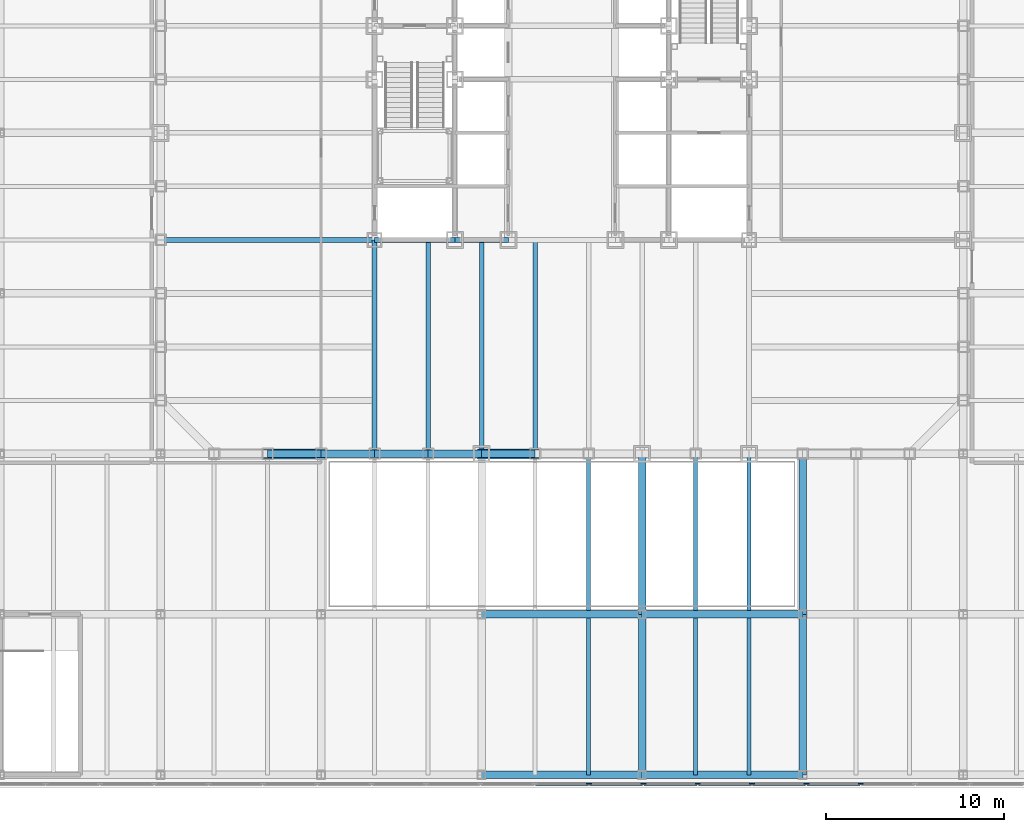
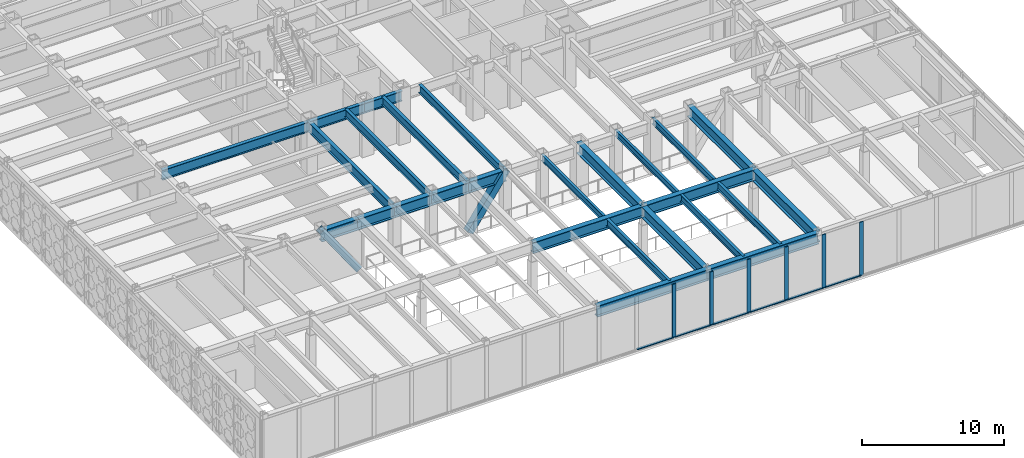
# One storey, part 4 of 24: 23 beams, 17 members, 1 element without a shape of its own.
"""IFC4 building model written with IfcOpenShell, lengths in metres."""

from ifc_helpers import new_model, si_unit, direction, frame, origin, origin_2d, place, context, subcontext, project, spatial, rectangle, hollow_rectangle, i_section, extrude, material, layer, layer_set, material_profile, profile_set, type_object, element, aggregate, save


model = new_model("IFC4")

# Units and contexts
model_context = context("Model", 3, precision=1e-05, world=origin(), true_north=direction((0.0, 1.0)))
body_context = subcontext(model_context, "Body", "Model", "MODEL_VIEW")
ifc_project = project(units=[si_unit("LENGTHUNIT", "METRE"), si_unit("AREAUNIT", "SQUARE_METRE"), si_unit("VOLUMEUNIT", "CUBIC_METRE"), si_unit("PLANEANGLEUNIT", "RADIAN"), si_unit("MASSUNIT", "GRAM", prefix="KILO")], contexts=[model_context])

# Site, building, storey
site_placement = place(None, origin())
site = spatial("IfcSite", under=ifc_project, at=site_placement, CompositionType="ELEMENT")
building_placement = place(site_placement, origin())
building = spatial("IfcBuilding", under=site, at=building_placement, Name="Chuquiago Exchange Tower", CompositionType="ELEMENT")
storey_placement = place(building_placement, frame((0.0, 0.0, 19.5)))
storey = spatial("IfcBuildingStorey", under=building, at=storey_placement, Name="L03", CompositionType="ELEMENT", Elevation=19.5)

# Beams
ifc_material_1 = material(Name="Steel ASTM A992", Category="steel")
ifc_material_profile_1 = material_profile(ifc_material_1, i_section(OverallWidth=0.2919921875, OverallDepth=0.8583984375, WebThickness=0.01708984375, FlangeThickness=0.031005859375, at=origin_2d()), Name="W33X169")
ifc_profile_set_1 = profile_set([ifc_material_profile_1], Name="Steel ASTM A992")
beam_type_1 = type_object("IfcBeamType", Name="B3 W33X169", PredefinedType="BEAM", material=ifc_profile_set_1)
beam_1_placement = place(storey_placement, frame((12.0, 12.0, 3.91064453125), z_axis=(1.0, 0.0, 0.0), x_axis=(0.0, 1.0, 0.0)))
element("IfcBeam", 1, at=beam_1_placement, inside=storey, type_object=beam_type_1, Name="CB-L04-12_12-16.5_12", PredefinedType="BEAM", context=body_context, shape_type="SweptSolid", body=[
    extrude(i_section(OverallWidth=0.2919921875, OverallDepth=0.8583984375, WebThickness=0.01708984375, FlangeThickness=0.031005859375, at=origin_2d()), origin(), (0.0, 0.0, 1.0), 4.5),
])
beam_2_placement = place(storey_placement, frame((16.5, 12.0, 3.91064453125), z_axis=(1.0, 0.0, 0.0), x_axis=(0.0, 1.0, 0.0)))
element("IfcBeam", 2, at=beam_2_placement, inside=storey, type_object=beam_type_1, Name="CB-L04-16.5_12-19.5_12", PredefinedType="BEAM", context=body_context, shape_type="SweptSolid", body=[
    extrude(i_section(OverallWidth=0.2919921875, OverallDepth=0.8583984375, WebThickness=0.01708984375, FlangeThickness=0.031005859375, at=origin_2d()), origin(), (0.0, 0.0, 1.0), 3.0),
])
ifc_material_2 = material(Name="Steel ASTM A992", Category="steel")
ifc_material_profile_2 = material_profile(ifc_material_2, i_section(OverallWidth=0.256591796875, OverallDepth=0.693359375, WebThickness=0.014404296875, FlangeThickness=0.023681640625, at=origin_2d()), Name="W27X114")
ifc_profile_set_2 = profile_set([ifc_material_profile_2], Name="Steel ASTM A992")
beam_type_2 = type_object("IfcBeamType", Name="B4 W27X114", PredefinedType="BEAM", material=ifc_profile_set_2)
for number, where, z_axis, x_axis, name in (
    (3, (15.0, 12.0, 3.993408203125), (0.0, -1.0, 0.0), (1.0, 0.0, 0.0), "FB-L04-infill-15_12-15_-0-0"),
    (4, (18.0, 12.0, 3.993408203125), (0.0, -1.0, 0.0), (1.0, 0.0, 0.0), "FB-L04-infill-18_12-18_-0-0"),
    (5, (21.0, 12.0, 3.993408203125), (0.0, -1.0, 0.0), (1.0, 0.0, 0.0), "FB-L04-infill-21_12-21_-0-0"),
):
    element("IfcBeam", number, at=place(storey_placement, frame(where, z_axis=z_axis, x_axis=x_axis)), inside=storey, type_object=beam_type_2, Name=name, PredefinedType="BEAM", context=body_context, shape_type="SweptSolid", body=[
        extrude(i_section(OverallWidth=0.256591796875, OverallDepth=0.693359375, WebThickness=0.014404296875, FlangeThickness=0.023681640625, at=origin_2d()), origin(), (0.0, 0.0, 1.0), 12.0),
    ])

# Curtain wall, members
ifc_material_3 = material(Name="Aluminium curtain wall system", Category="aluminium")
ifc_layer = layer(ifc_material_3, 0.300048828125)
ifc_layer_set = layer_set([ifc_layer], Name="CW4 podium curtain wall")
curtain_wall_type = type_object("IfcCurtainWallType", Name="CW4 podium curtain wall", PredefinedType="NOTDEFINED", material=ifc_layer_set)
curtain_wall_placement = place(storey_placement, origin())
curtain_wall = element("IfcCurtainWall", 6, at=curtain_wall_placement, inside=storey, type_object=curtain_wall_type, Name="CW4 curtain wall L03", PredefinedType="NOTDEFINED")
ifc_material_4 = material(Name="Aluminium mullion, pale anodised", Category="aluminium")
ifc_material_profile_3 = material_profile(ifc_material_4, rectangle(XDim=0.074951171875, YDim=0.300048828125, at=origin_2d()), Name="AL 75x300")
ifc_profile_set_3 = profile_set([ifc_material_profile_3], Name="Aluminium mullion, pale anodised")
member_type_1 = type_object("IfcMemberType", Name="CW4-M mullion 75x300", PredefinedType="MULLION", material=ifc_profile_set_3)
member_1_placement = place(storey_placement, frame((24.02392578125, -18.5, 0.0), z_axis=(0.0, 0.0, 1.0), x_axis=(0.0, 1.0, 0.0)))
member_1 = element("IfcMember", 7, at=member_1_placement, type_object=member_type_1, Name="CW4 mullion 12", PredefinedType="MULLION", context=body_context, shape_type="SweptSolid", body=[
    extrude(rectangle(XDim=0.074951171875, YDim=0.300048828125, at=origin_2d()), origin(), (0.0, 0.0, 1.0), 4.60009765625),
])
member_2_placement = place(storey_placement, frame((27.071533203125, -18.5, 0.0), z_axis=(0.0, 0.0, 1.0), x_axis=(0.0, 1.0, 0.0)))
member_2 = element("IfcMember", 8, at=member_2_placement, type_object=member_type_1, Name="CW4 mullion 13", PredefinedType="MULLION", context=body_context, shape_type="SweptSolid", body=[
    extrude(rectangle(XDim=0.074951171875, YDim=0.300048828125, at=origin_2d()), origin(), (0.0, 0.0, 1.0), 4.60009765625),
])
member_3_placement = place(storey_placement, frame((30.119140625, -18.5, 0.0), z_axis=(0.0, 0.0, 1.0), x_axis=(0.0, 1.0, 0.0)))
member_3 = element("IfcMember", 9, at=member_3_placement, type_object=member_type_1, Name="CW4 mullion 14", PredefinedType="MULLION", context=body_context, shape_type="SweptSolid", body=[
    extrude(rectangle(XDim=0.074951171875, YDim=0.300048828125, at=origin_2d()), origin(), (0.0, 0.0, 1.0), 4.60009765625),
])
member_4_placement = place(storey_placement, frame((33.166748046875, -18.5, 0.0), z_axis=(0.0, 0.0, 1.0), x_axis=(0.0, 1.0, 0.0)))
member_4 = element("IfcMember", 10, at=member_4_placement, type_object=member_type_1, Name="CW4 mullion 15", PredefinedType="MULLION", context=body_context, shape_type="SweptSolid", body=[
    extrude(rectangle(XDim=0.074951171875, YDim=0.300048828125, at=origin_2d()), origin(), (0.0, 0.0, 1.0), 4.60009765625),
])
member_5_placement = place(storey_placement, frame((36.21435546875, -18.5, 0.0), z_axis=(0.0, 0.0, 1.0), x_axis=(0.0, 1.0, 0.0)))
member_5 = element("IfcMember", 11, at=member_5_placement, type_object=member_type_1, Name="CW4 mullion 16", PredefinedType="MULLION", context=body_context, shape_type="SweptSolid", body=[
    extrude(rectangle(XDim=0.074951171875, YDim=0.300048828125, at=origin_2d()), origin(), (0.0, 0.0, 1.0), 4.60009765625),
])
member_6_placement = place(storey_placement, frame((39.261962890625, -18.5, 0.0), z_axis=(0.0, 0.0, 1.0), x_axis=(0.0, 1.0, 0.0)))
member_6 = element("IfcMember", 12, at=member_6_placement, type_object=member_type_1, Name="CW4 mullion 17", PredefinedType="MULLION", context=body_context, shape_type="SweptSolid", body=[
    extrude(rectangle(XDim=0.074951171875, YDim=0.300048828125, at=origin_2d()), origin(), (0.0, 0.0, 1.0), 4.60009765625),
])
ifc_material_5 = material(Name="Aluminium transom, pale anodised", Category="aluminium")
ifc_material_profile_4 = material_profile(ifc_material_5, rectangle(XDim=0.179931640625, YDim=0.074951171875, at=origin_2d()), Name="AL 180x75")
ifc_profile_set_4 = profile_set([ifc_material_profile_4], Name="Aluminium transom, pale anodised")
member_type_2 = type_object("IfcMemberType", Name="CW4-T transom 75x180", PredefinedType="MULLION", material=ifc_profile_set_4)
member_7_placement = place(storey_placement, frame((21.013671875, -18.5, 0.03759765625), z_axis=(1.0, 0.0, 0.0), x_axis=(0.0, 1.0, 0.0)))
member_7 = element("IfcMember", 13, at=member_7_placement, type_object=member_type_2, Name="CW4 transom 11.1", PredefinedType="MULLION", context=body_context, shape_type="SweptSolid", body=[
    extrude(rectangle(XDim=0.179931640625, YDim=0.074951171875, at=origin_2d()), origin(), (0.0, 0.0, 1.0), 2.97265625),
])
member_8_placement = place(storey_placement, frame((24.061279296875, -18.5, 0.03759765625), z_axis=(1.0, 0.0, 0.0), x_axis=(0.0, 1.0, 0.0)))
member_8 = element("IfcMember", 14, at=member_8_placement, type_object=member_type_2, Name="CW4 transom 12.1", PredefinedType="MULLION", context=body_context, shape_type="SweptSolid", body=[
    extrude(rectangle(XDim=0.179931640625, YDim=0.074951171875, at=origin_2d()), origin(), (0.0, 0.0, 1.0), 2.97265625),
])
member_9_placement = place(storey_placement, frame((27.10888671875, -18.5, 0.03759765625), z_axis=(1.0, 0.0, 0.0), x_axis=(0.0, 1.0, 0.0)))
member_9 = element("IfcMember", 15, at=member_9_placement, type_object=member_type_2, Name="CW4 transom 13.1", PredefinedType="MULLION", context=body_context, shape_type="SweptSolid", body=[
    extrude(rectangle(XDim=0.179931640625, YDim=0.074951171875, at=origin_2d()), origin(), (0.0, 0.0, 1.0), 2.97265625),
])
member_10_placement = place(storey_placement, frame((30.156494140625, -18.5, 0.03759765625), z_axis=(1.0, 0.0, 0.0), x_axis=(0.0, 1.0, 0.0)))
member_10 = element("IfcMember", 16, at=member_10_placement, type_object=member_type_2, Name="CW4 transom 14.1", PredefinedType="MULLION", context=body_context, shape_type="SweptSolid", body=[
    extrude(rectangle(XDim=0.179931640625, YDim=0.074951171875, at=origin_2d()), origin(), (0.0, 0.0, 1.0), 2.97265625),
])
member_11_placement = place(storey_placement, frame((33.2041015625, -18.5, 0.03759765625), z_axis=(1.0, 0.0, 0.0), x_axis=(0.0, 1.0, 0.0)))
member_11 = element("IfcMember", 17, at=member_11_placement, type_object=member_type_2, Name="CW4 transom 15.1", PredefinedType="MULLION", context=body_context, shape_type="SweptSolid", body=[
    extrude(rectangle(XDim=0.179931640625, YDim=0.074951171875, at=origin_2d()), origin(), (0.0, 0.0, 1.0), 2.97265625),
])
member_12_placement = place(storey_placement, frame((36.251708984375, -18.5, 0.03759765625), z_axis=(1.0, 0.0, 0.0), x_axis=(0.0, 1.0, 0.0)))
member_12 = element("IfcMember", 18, at=member_12_placement, type_object=member_type_2, Name="CW4 transom 16.1", PredefinedType="MULLION", context=body_context, shape_type="SweptSolid", body=[
    extrude(rectangle(XDim=0.179931640625, YDim=0.074951171875, at=origin_2d()), origin(), (0.0, 0.0, 1.0), 2.97265625),
])
aggregate(curtain_wall, [member_1, member_2, member_3, member_4, member_5, member_6, member_7, member_8, member_9, member_10, member_11, member_12])

# Beams
ifc_material_6 = material(Name="Steel ASTM A992", Category="steel")
ifc_material_profile_5 = material_profile(ifc_material_6, i_section(OverallWidth=0.2919921875, OverallDepth=0.8583984375, WebThickness=0.01708984375, FlangeThickness=0.031005859375, at=origin_2d()), Name="W33X169")
ifc_profile_set_5 = profile_set([ifc_material_profile_5], Name="Steel ASTM A992")
beam_type_3 = type_object("IfcBeamType", Name="G2 W33X169", PredefinedType="BEAM", material=ifc_profile_set_5)
for number, where, z_axis, x_axis, name in (
    (19, (12.0, 12.0, 3.91064453125), (0.0, -1.0, 0.0), (1.0, 0.0, 0.0), "FB-L04-girder-12_12-12_-0-0"),
    (20, (12.0, 12.0, 3.91064453125), (-1.0, 0.0, 0.0), (0.0, -1.0, 0.0), "FB-L04-girder-12_12--0_12-0"),
):
    element("IfcBeam", number, at=place(storey_placement, frame(where, z_axis=z_axis, x_axis=x_axis)), inside=storey, type_object=beam_type_3, Name=name, PredefinedType="BEAM", context=body_context, shape_type="SweptSolid", body=[
        extrude(i_section(OverallWidth=0.2919921875, OverallDepth=0.8583984375, WebThickness=0.01708984375, FlangeThickness=0.031005859375, at=origin_2d()), origin(), (0.0, 0.0, 1.0), 12.0),
    ])

# Members
ifc_material_7 = material(Name="Steel ASTM A572 Grade 50", Category="steel")
ifc_material_profile_6 = material_profile(ifc_material_7, hollow_rectangle(XDim=0.550048828125, YDim=0.550048828125, WallThickness=0.044921875, at=origin_2d()), Name="BOX550X550X45")
ifc_profile_set_6 = profile_set([ifc_material_profile_6], Name="Steel ASTM A572 Grade 50")
member_type_3 = type_object("IfcMemberType", Name="MB1 BOX550X550X45", PredefinedType="BRACE", material=ifc_profile_set_6)
for number, where, z_axis, x_axis, name in (
    (21, (9.0, 0.0, 0.0), (-0.568610676405, 0.0, 0.822606770382), (0.0, -1.0, 0.0), "Mega diagonal L03 S face"),
    (22, (18.0, 0.0, 0.0), (0.568610676405, 0.0, 0.822606770382), (0.0, 1.0, 0.0), "Mega diagonal L03 S face"),
):
    element("IfcMember", number, at=place(storey_placement, frame(where, z_axis=z_axis, x_axis=x_axis)), inside=storey, type_object=member_type_3, Name=name, PredefinedType="BRACE", context=body_context, shape_type="SweptSolid", body=[
        extrude(hollow_rectangle(XDim=0.550048828125, YDim=0.550048828125, WallThickness=0.044921875, at=origin_2d()), origin(), (0.0, 0.0, 1.0), 5.276123046875),
    ])

# Beams
ifc_material_8 = material(Name="Steel ASTM A992", Category="steel")
ifc_material_profile_7 = material_profile(ifc_material_8, i_section(OverallWidth=0.227783203125, OverallDepth=0.60205078125, WebThickness=0.010498046875, FlangeThickness=0.014892578125, at=origin_2d()), Name="W24X68")
ifc_profile_set_7 = profile_set([ifc_material_profile_7], Name="Steel ASTM A992")
beam_type_4 = type_object("IfcBeamType", Name="PB1 W24X68", PredefinedType="BEAM", material=ifc_profile_set_7)
for number, where, z_axis, x_axis, name in (
    (23, (24.0, -18.0, 4.299072265625), (0.0, 1.0, 0.0), (-1.0, 0.0, 0.0), "PB-L04-24_-18"),
    (24, (30.0, -18.0, 4.299072265625), (0.0, 1.0, 0.0), (-1.0, 0.0, 0.0), "PB-L04-30_-18"),
    (25, (33.0, -18.0, 4.299072265625), (0.0, 1.0, 0.0), (-1.0, 0.0, 0.0), "PB-L04-33_-18"),
):
    element("IfcBeam", number, at=place(storey_placement, frame(where, z_axis=z_axis, x_axis=x_axis)), inside=storey, type_object=beam_type_4, Name=name, PredefinedType="BEAM", context=body_context, shape_type="SweptSolid", body=[
        extrude(i_section(OverallWidth=0.227783203125, OverallDepth=0.60205078125, WebThickness=0.010498046875, FlangeThickness=0.014892578125, at=origin_2d()), origin(), (0.0, 0.0, 1.0), 8.787841796875),
    ])
ifc_material_9 = material(Name="Steel ASTM A992", Category="steel")
ifc_material_profile_8 = material_profile(ifc_material_9, i_section(OverallWidth=0.424072265625, OverallDepth=0.947509765625, WebThickness=0.02392578125, FlangeThickness=0.042724609375, at=origin_2d()), Name="W36X302")
ifc_profile_set_8 = profile_set([ifc_material_profile_8], Name="Steel ASTM A992")
beam_type_5 = type_object("IfcBeamType", Name="PG1 W36X302", PredefinedType="BEAM", material=ifc_profile_set_8)
for number, where, z_axis, x_axis, name in (
    (26, (27.0, -18.0, 4.126220703125), (0.0, 1.0, 0.0), (-1.0, 0.0, 0.0), "PG-L04-27_-18-27_-9"),
    (27, (27.0, -9.0, 4.126220703125), (0.0, 1.0, 0.0), (-1.0, 0.0, 0.0), "PG-L04-27_-9-27_0"),
    (28, (36.0, -18.0, 4.126220703125), (0.0, 1.0, 0.0), (-1.0, 0.0, 0.0), "PG-L04-36_-18-36_-9"),
    (29, (36.0, -9.0, 4.126220703125), (0.0, 1.0, 0.0), (-1.0, 0.0, 0.0), "PG-L04-36_-9-36_0"),
    (30, (18.0, -18.0, 4.126220703125), (1.0, 0.0, 0.0), (0.0, 1.0, 0.0), "PG-L04-18_-18-27_-18"),
    (31, (27.0, -18.0, 4.126220703125), (1.0, 0.0, 0.0), (0.0, 1.0, 0.0), "PG-L04-27_-18-36_-18"),
    (32, (18.0, -9.0, 4.126220703125), (1.0, 0.0, 0.0), (0.0, 1.0, 0.0), "PG-L04-18_-9-27_-9"),
    (33, (27.0, -9.0, 4.126220703125), (1.0, 0.0, 0.0), (0.0, 1.0, 0.0), "PG-L04-27_-9-36_-9"),
):
    element("IfcBeam", number, at=place(storey_placement, frame(where, z_axis=z_axis, x_axis=x_axis)), inside=storey, type_object=beam_type_5, Name=name, PredefinedType="BEAM", context=body_context, shape_type="SweptSolid", body=[
        extrude(i_section(OverallWidth=0.424072265625, OverallDepth=0.947509765625, WebThickness=0.02392578125, FlangeThickness=0.042724609375, at=origin_2d()), origin(), (0.0, 0.0, 1.0), 9.0),
    ])

# Members
ifc_material_10 = material(Name="Steel ASTM A992", Category="steel")
ifc_material_profile_9 = material_profile(ifc_material_10, i_section(OverallWidth=0.208740234375, OverallDepth=0.535888671875, WebThickness=0.009521484375, FlangeThickness=0.01318359375, at=origin_2d()), Name="W21X55")
ifc_profile_set_9 = profile_set([ifc_material_profile_9], Name="Steel ASTM A992")
member_type_4 = type_object("IfcMemberType", Name="RB1 W21X55", PredefinedType="PURLIN", material=ifc_profile_set_9)
for number, where, z_axis, x_axis, name in (
    (34, (24.0, -8.787841796875, 4.299072265625), (0.0, 1.0, 0.0), (-1.0, 0.0, 0.0), "Atrium rooflight purlin"),
    (35, (30.0, -8.787841796875, 4.299072265625), (0.0, 1.0, 0.0), (-1.0, 0.0, 0.0), "Atrium rooflight purlin"),
    (36, (33.0, -8.787841796875, 4.299072265625), (0.0, 1.0, 0.0), (-1.0, 0.0, 0.0), "Atrium rooflight purlin"),
):
    element("IfcMember", number, at=place(storey_placement, frame(where, z_axis=z_axis, x_axis=x_axis)), inside=storey, type_object=member_type_4, Name=name, PredefinedType="PURLIN", context=body_context, shape_type="SweptSolid", body=[
        extrude(i_section(OverallWidth=0.208740234375, OverallDepth=0.535888671875, WebThickness=0.009521484375, FlangeThickness=0.01318359375, at=origin_2d()), origin(), (0.0, 0.0, 1.0), 8.787841796875),
    ])

# Beams
ifc_material_11 = material(Name="Steel ASTM A992", Category="steel")
ifc_material_profile_10 = material_profile(ifc_material_11, i_section(OverallWidth=0.424072265625, OverallDepth=0.947509765625, WebThickness=0.02392578125, FlangeThickness=0.042724609375, at=origin_2d()), Name="W36X302")
ifc_profile_set_10 = profile_set([ifc_material_profile_10], Name="Steel ASTM A992")
beam_type_6 = type_object("IfcBeamType", Name="SP1 W36X302", PredefinedType="SPANDREL", material=ifc_profile_set_10)
for number, where, z_axis, x_axis, name in (
    (37, (6.0, 0.0, 3.8662109375), (1.0, 0.0, 0.0), (0.0, 1.0, 0.0), "SPB-L04-6_0-9_0"),
    (38, (9.0, 0.0, 3.8662109375), (1.0, 0.0, 0.0), (0.0, 1.0, 0.0), "SPB-L04-9_0-12_0"),
    (39, (12.0, 0.0, 3.8662109375), (1.0, 0.0, 0.0), (0.0, 1.0, 0.0), "SPB-L04-12_0-15_0"),
    (40, (15.0, 0.0, 3.8662109375), (1.0, 0.0, 0.0), (0.0, 1.0, 0.0), "SPB-L04-15_0-18_0"),
    (41, (18.0, 0.0, 3.8662109375), (1.0, 0.0, 0.0), (0.0, 1.0, 0.0), "SPB-L04-18_0-21_0"),
):
    element("IfcBeam", number, at=place(storey_placement, frame(where, z_axis=z_axis, x_axis=x_axis)), inside=storey, type_object=beam_type_6, Name=name, PredefinedType="SPANDREL", context=body_context, shape_type="SweptSolid", body=[
        extrude(i_section(OverallWidth=0.424072265625, OverallDepth=0.947509765625, WebThickness=0.02392578125, FlangeThickness=0.042724609375, at=origin_2d()), origin(), (0.0, 0.0, 1.0), 3.0),
    ])

save(model, "model.ifc")
